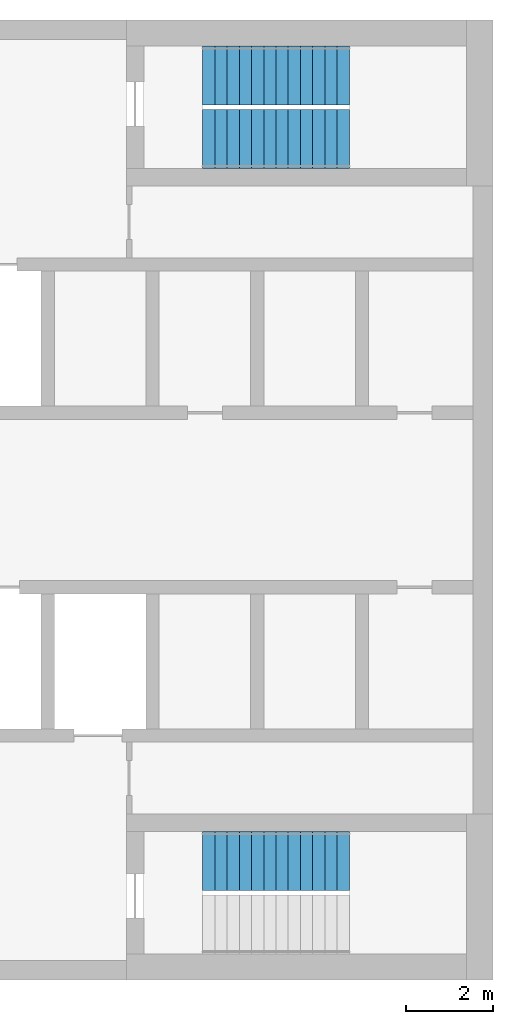
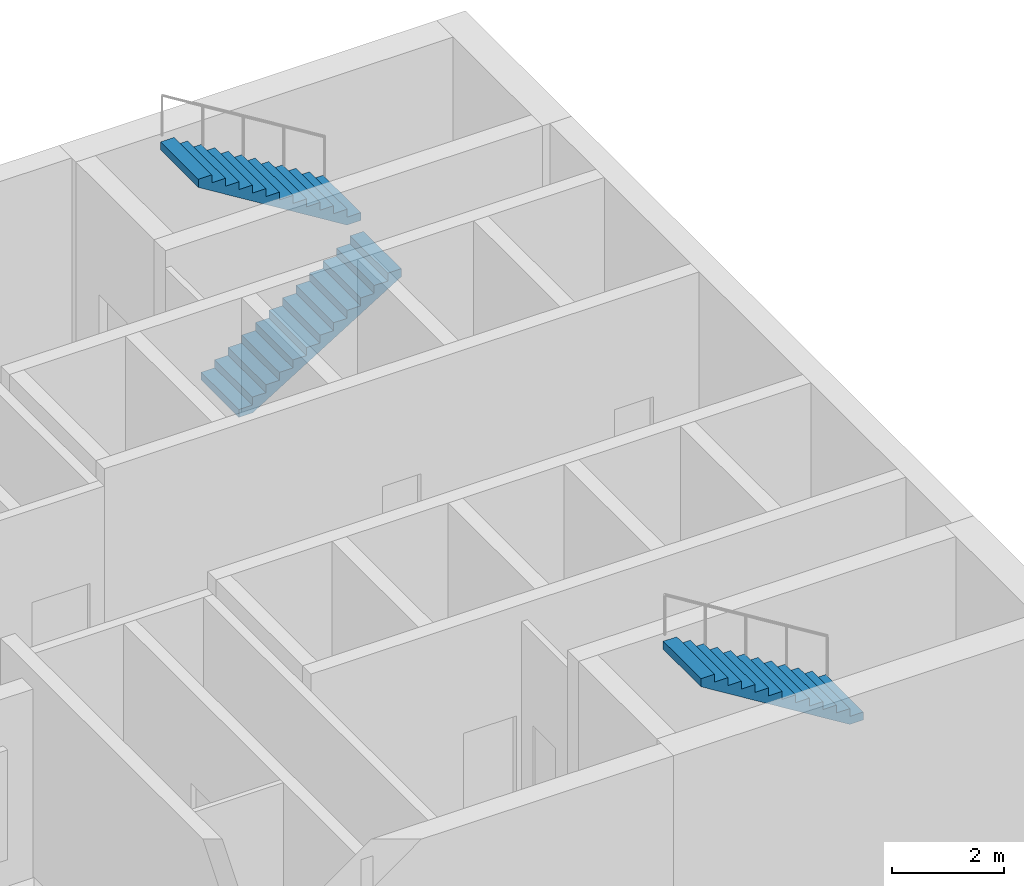
# One storey, part 3 of 4: 3 stair flights, 2 elements without a shape of their own.
"""IFC4 building model written with IfcOpenShell, lengths in metres."""

from ifc_helpers import new_model, si_unit, direction, frame, origin, place, context, subcontext, project, spatial, polyline, outline, extrude, material, type_object, element, aggregate, save


model = new_model("IFC4")

# Units and contexts
model_context = context("Model", 3, precision=1e-05, world=origin(), true_north=direction((0.0, 1.0)))
body_context = subcontext(model_context, "Body", "Model", "MODEL_VIEW")
ifc_project = project(units=[si_unit("LENGTHUNIT", "METRE"), si_unit("AREAUNIT", "SQUARE_METRE"), si_unit("VOLUMEUNIT", "CUBIC_METRE"), si_unit("PLANEANGLEUNIT", "RADIAN"), si_unit("MASSUNIT", "GRAM", prefix="KILO")], contexts=[model_context])

# Site, building, storey
site_placement = place(None, origin())
site = spatial("IfcSite", under=ifc_project, at=site_placement, CompositionType="ELEMENT")
building_placement = place(site_placement, origin())
building = spatial("IfcBuilding", under=site, at=building_placement, Name="Skarvind Civic Tower", CompositionType="ELEMENT")
storey_placement = place(building_placement, frame((0.0, 0.0, 291.0)))
storey = spatial("IfcBuildingStorey", under=building, at=storey_placement, Name="L69", CompositionType="ELEMENT", Elevation=291.0)

# Stair, stair flights
ifc_material = material(Name="Concrete C40/50", Category="concrete")
stair_type = type_object("IfcStairType", Name="Exit stair, half-turn, concrete", PredefinedType="HALF_TURN_STAIR", material=ifc_material)
stair_1_placement = place(storey_placement, origin())
stair_1 = element("IfcStair", 1, at=stair_1_placement, inside=storey, type_object=stair_type, Name="Exit stair C1S", PredefinedType="HALF_TURN_STAIR")
stair_flight_type = type_object("IfcStairFlightType", Name="Stair flight, concrete", PredefinedType="STRAIGHT", material=ifc_material)
stair_flight_1_placement = place(storey_placement, frame((101.35009765625, 136.27490234375, 0.0), z_axis=(0.0, 0.0, 1.0), x_axis=(1.0, 0.0, 0.0)))
stair_flight_1 = element("IfcStairFlight", 2, at=stair_flight_1_placement, type_object=stair_flight_type, Name="ST-C1S flight 1", NumberOfRisers=13, NumberOfTreads=12, PredefinedType="STRAIGHT", RiserHeight=0.173076923, TreadLength=0.28, context=body_context, shape_type="SweptSolid", body=[
    extrude(outline(polyline([(0.0, 0.0), (0.0, 0.173095703125), (0.280029296875, 0.173095703125), (0.280029296875, 0.34619140625), (0.56005859375, 0.34619140625), (0.56005859375, 0.519287109375), (0.840087890625, 0.519287109375), (0.840087890625, 0.6923828125), (1.1201171875, 0.6923828125), (1.1201171875, 0.865478515625), (1.39990234375, 0.865478515625), (1.39990234375, 1.03857421875), (1.679931640625, 1.03857421875), (1.679931640625, 1.21142578125), (1.9599609375, 1.21142578125), (1.9599609375, 1.384521484375), (2.239990234375, 1.384521484375), (2.239990234375, 1.5576171875), (2.52001953125, 1.5576171875), (2.52001953125, 1.730712890625), (2.800048828125, 1.730712890625), (2.800048828125, 1.90380859375), (3.080078125, 1.90380859375), (3.080078125, 2.076904296875), (3.360107421875, 2.076904296875), (3.360107421875, 2.25), (3.360107421875, 1.900634765625), (0.28515625, 0.0), (0.0, 0.0)])), frame((0.0, 0.675048828125, 0.0), z_axis=(0.0, -1.0, 0.0), x_axis=(1.0, 0.0, 0.0)), (0.0, 0.0, 1.0), 1.35009765625),
])
stair_flight_2_placement = place(storey_placement, frame((104.7099609375, 137.72509765625, 2.25), z_axis=(0.0, 0.0, 1.0), x_axis=(-1.0, 0.0, 0.0)))
stair_flight_2 = element("IfcStairFlight", 3, at=stair_flight_2_placement, type_object=stair_flight_type, Name="ST-C1S flight 2", NumberOfRisers=13, NumberOfTreads=12, PredefinedType="STRAIGHT", RiserHeight=0.173076923, TreadLength=0.28, context=body_context, shape_type="SweptSolid", body=[
    extrude(outline(polyline([(0.0, 0.0), (0.0, 0.173095703125), (0.280029296875, 0.173095703125), (0.280029296875, 0.34619140625), (0.56005859375, 0.34619140625), (0.56005859375, 0.519287109375), (0.840087890625, 0.519287109375), (0.840087890625, 0.6923828125), (1.1201171875, 0.6923828125), (1.1201171875, 0.865478515625), (1.39990234375, 0.865478515625), (1.39990234375, 1.03857421875), (1.679931640625, 1.03857421875), (1.679931640625, 1.21142578125), (1.9599609375, 1.21142578125), (1.9599609375, 1.384521484375), (2.239990234375, 1.384521484375), (2.239990234375, 1.5576171875), (2.52001953125, 1.5576171875), (2.52001953125, 1.730712890625), (2.800048828125, 1.730712890625), (2.800048828125, 1.90380859375), (3.080078125, 1.90380859375), (3.080078125, 2.076904296875), (3.360107421875, 2.076904296875), (3.360107421875, 2.25), (3.360107421875, 1.900634765625), (0.28515625, 0.0), (0.0, 0.0)])), frame((0.0, 0.675048828125, 0.0), z_axis=(0.0, -1.0, 0.0), x_axis=(1.0, 0.0, 0.0)), (0.0, 0.0, 1.0), 1.35009765625),
])
aggregate(stair_1, [stair_flight_1, stair_flight_2])

# Stair, stair flight
stair_2_placement = place(storey_placement, origin())
stair_2 = element("IfcStair", 4, at=stair_2_placement, inside=storey, type_object=stair_type, Name="Exit stair C1N", PredefinedType="HALF_TURN_STAIR")
stair_flight_3_placement = place(storey_placement, frame((104.7099609375, 119.72509765625, 2.25), z_axis=(0.0, 0.0, 1.0), x_axis=(-1.0, 0.0, 0.0)))
stair_flight_3 = element("IfcStairFlight", 5, at=stair_flight_3_placement, type_object=stair_flight_type, Name="ST-C1N flight 2", NumberOfRisers=13, NumberOfTreads=12, PredefinedType="STRAIGHT", RiserHeight=0.173076923, TreadLength=0.28, context=body_context, shape_type="SweptSolid", body=[
    extrude(outline(polyline([(0.0, 0.0), (0.0, 0.173095703125), (0.280029296875, 0.173095703125), (0.280029296875, 0.34619140625), (0.56005859375, 0.34619140625), (0.56005859375, 0.519287109375), (0.840087890625, 0.519287109375), (0.840087890625, 0.6923828125), (1.1201171875, 0.6923828125), (1.1201171875, 0.865478515625), (1.39990234375, 0.865478515625), (1.39990234375, 1.03857421875), (1.679931640625, 1.03857421875), (1.679931640625, 1.21142578125), (1.9599609375, 1.21142578125), (1.9599609375, 1.384521484375), (2.239990234375, 1.384521484375), (2.239990234375, 1.5576171875), (2.52001953125, 1.5576171875), (2.52001953125, 1.730712890625), (2.800048828125, 1.730712890625), (2.800048828125, 1.90380859375), (3.080078125, 1.90380859375), (3.080078125, 2.076904296875), (3.360107421875, 2.076904296875), (3.360107421875, 2.25), (3.360107421875, 1.900634765625), (0.28515625, 0.0), (0.0, 0.0)])), frame((0.0, 0.675048828125, 0.0), z_axis=(0.0, -1.0, 0.0), x_axis=(1.0, 0.0, 0.0)), (0.0, 0.0, 1.0), 1.35009765625),
])
aggregate(stair_2, [stair_flight_3])

save(model, "model.ifc")
